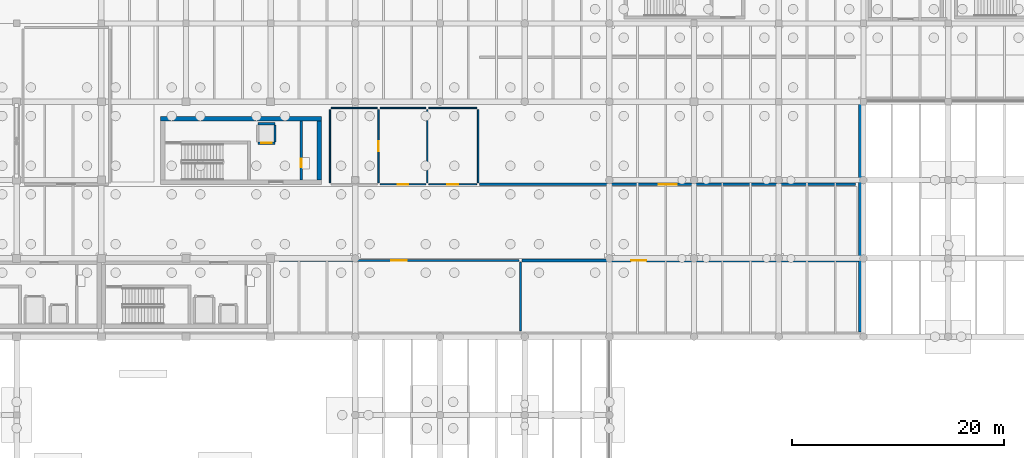
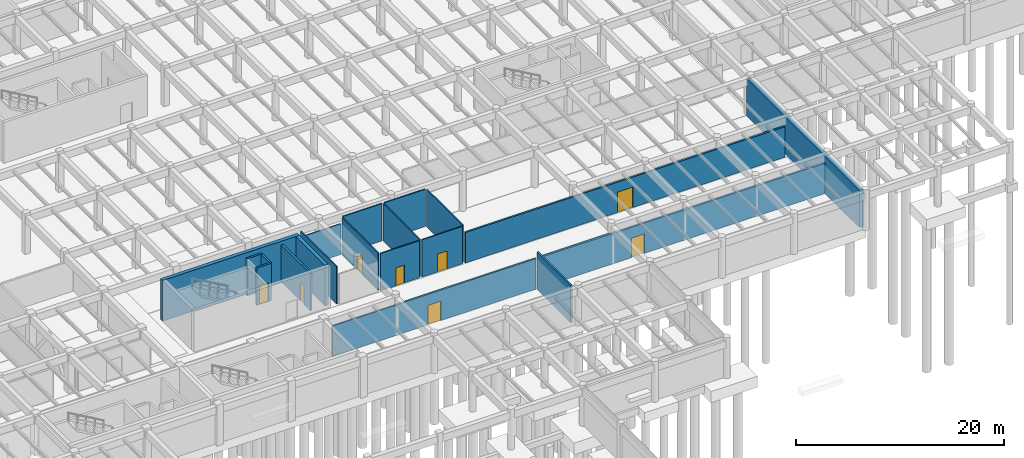
# One storey, part 21 of 40: 20 walls, 8 doors, 8 openings.
"""IFC4 building model written with IfcOpenShell, lengths in metres."""

from ifc_helpers import new_model, si_unit, direction, frame, frame_2d, origin, place, context, subcontext, project, spatial, rectangle, extrude, material, layer, layer_set, type_object, element, fill, save


model = new_model("IFC4")

# Units and contexts
model_context = context("Model", 3, precision=1e-05, world=origin(), true_north=direction((0.0, 1.0)))
body_context = subcontext(model_context, "Body", "Model", "MODEL_VIEW")
ifc_project = project(units=[si_unit("LENGTHUNIT", "METRE"), si_unit("AREAUNIT", "SQUARE_METRE"), si_unit("VOLUMEUNIT", "CUBIC_METRE"), si_unit("PLANEANGLEUNIT", "RADIAN"), si_unit("MASSUNIT", "GRAM", prefix="KILO")], contexts=[model_context])

# Site, building, storey
site_placement = place(None, origin())
site = spatial("IfcSite", under=ifc_project, at=site_placement, CompositionType="ELEMENT")
building_placement = place(site_placement, origin())
building = spatial("IfcBuilding", under=site, at=building_placement, Name="Valkorina Park Police Headquarters", CompositionType="ELEMENT")
storey_placement = place(building_placement, frame((0.0, 0.0, -4.800048828125)))
storey = spatial("IfcBuildingStorey", under=building, at=storey_placement, Name="B01", CompositionType="ELEMENT", Elevation=-4.800048828125)

# Wall, opening, door
ifc_material_1 = material(Name="Autoclaved aerated concrete masonry", Category="masonry")
ifc_layer_1 = layer(ifc_material_1, 0.219970703125)
ifc_layer_set_1 = layer_set([ifc_layer_1], Name="Autoclaved aerated concrete masonry")
wall_type_1 = type_object("IfcWallType", Name="WL-CHASE-220-EI60", PredefinedType="PLUMBINGWALL", material=ifc_layer_set_1)
wall_1_placement = place(storey_placement, frame((47.590087890625, 55.2900390625, 0.0), z_axis=(0.0, 0.0, 1.0), x_axis=(1.0, 0.0, 0.0)))
wall_1 = element("IfcWall", 1, at=wall_1_placement, inside=storey, type_object=wall_type_1, Name="Lift LF-05 B01 Shaft Front Wall", PredefinedType="PLUMBINGWALL", context=body_context, shape_type="SweptSolid", body=[
    extrude(rectangle(XDim=1.619873046875, YDim=0.219970703125, at=frame_2d((0.81005859375, 0.0))), origin(), (0.0, 0.0, 1.0), 4.380126953125),
])
opening_1_placement = place(wall_1_placement, frame((0.31005859375, 0.0, 0.0)))
opening_1 = element("IfcOpeningElement", 2, at=opening_1_placement, cuts=wall_1, Name="Opening LD-02", PredefinedType="OPENING", context=body_context, shape_type="SweptSolid", body=[
    extrude(rectangle(XDim=1.0, YDim=2.199951171875, at=frame_2d((0.5, 1.10009765625))), frame((0.0, 0.1201171875, 0.0), z_axis=(0.0, -1.0, 0.0), x_axis=(1.0, 0.0, 0.0)), (0.0, 0.0, 1.0), 0.239990234375),
])
ifc_material_2 = material(Name="Stainless steel EN 1.4404", Category="steel")
ifc_layer_2 = layer(ifc_material_2, 0.050048828125)
ifc_layer_set_2 = layer_set([ifc_layer_2], Name="Stainless steel EN 1.4404")
door_type_1 = type_object("IfcDoorType", Name="DR-LIFT-PAX-1000x2200", OperationType="NOTDEFINED", PredefinedType="DOOR", material=ifc_layer_set_2)
door_1_placement = place(opening_1_placement, origin())
door_1 = element("IfcDoor", 3, at=door_1_placement, inside=storey, type_object=door_type_1, Name="Lift Landing Door LF-05-B01", OperationType="DOUBLE_DOOR_SLIDING", OverallHeight=2.199951171875, OverallWidth=1.0, PredefinedType="DOOR", context=body_context, shape_type="SweptSolid", body=[
    extrude(rectangle(XDim=1.0, YDim=2.199951171875, at=frame_2d((0.5, 1.10009765625))), frame((0.0, 0.02490234375, 0.0), z_axis=(0.0, -1.0, 0.0), x_axis=(1.0, 0.0, 0.0)), (0.0, 0.0, 1.0), 0.050048828125),
])
fill(opening_1, door_1)

# Walls
wall_2_placement = place(storey_placement, frame((47.590087890625, 57.110107421875, 0.0), z_axis=(0.0, 0.0, 1.0), x_axis=(1.0, 0.0, 0.0)))
element("IfcWall", 4, at=wall_2_placement, inside=storey, type_object=wall_type_1, Name="Lift LF-05 B01 Shaft Back Wall", PredefinedType="PLUMBINGWALL", context=body_context, shape_type="SweptSolid", body=[
    extrude(rectangle(XDim=1.619873046875, YDim=0.219970703125, at=frame_2d((0.81005859375, 0.0))), origin(), (0.0, 0.0, 1.0), 4.380126953125),
])
wall_3_placement = place(storey_placement, frame((49.2099609375, 55.39990234375, 0.0), z_axis=(0.0, 0.0, 1.0), x_axis=(0.0, 1.0, 0.0)))
element("IfcWall", 5, at=wall_3_placement, inside=storey, type_object=wall_type_1, Name="Lift LF-05 B01 Shaft Side Wall E", PredefinedType="PLUMBINGWALL", context=body_context, shape_type="SweptSolid", body=[
    extrude(rectangle(XDim=1.60009765625, YDim=0.219970703125, at=frame_2d((0.800048828125, 0.0))), origin(), (0.0, 0.0, 1.0), 4.380126953125),
])

# Wall, opening, door
wall_4_placement = place(storey_placement, frame((51.68994140625, 51.800048828125, 0.0), z_axis=(0.0, 0.0, 1.0), x_axis=(0.0, 1.0, 0.0)))
wall_4 = element("IfcWall", 6, at=wall_4_placement, inside=storey, type_object=wall_type_1, Name="Core C3 B01 Riser Shaft West Wall", PredefinedType="PLUMBINGWALL", context=body_context, shape_type="SweptSolid", body=[
    extrude(rectangle(XDim=5.599853515625, YDim=0.219970703125, at=frame_2d((2.7998046875, 0.0))), origin(), (0.0, 0.0, 1.0), 4.380126953125),
])
opening_2_placement = place(wall_4_placement, frame((1.199951171875, 0.0, 0.0)))
opening_2 = element("IfcOpeningElement", 7, at=opening_2_placement, cuts=wall_4, Name="Opening ID-01", PredefinedType="OPENING", context=body_context, shape_type="SweptSolid", body=[
    extrude(rectangle(XDim=0.800048828125, YDim=2.10009765625, at=frame_2d((0.39990234375, 1.050048828125))), frame((0.0, 0.1201171875, 0.0), z_axis=(0.0, -1.0, 0.0), x_axis=(1.0, 0.0, 0.0)), (0.0, 0.0, 1.0), 0.239990234375),
])
ifc_material_3 = material(Name="Galvanized steel door leaf", Category="steel")
ifc_layer_3 = layer(ifc_material_3, 0.050048828125)
ifc_layer_set_3 = layer_set([ifc_layer_3], Name="Galvanized steel door leaf")
door_type_2 = type_object("IfcDoorType", Name="DR-INT-RISER-800x2100", OperationType="NOTDEFINED", PredefinedType="DOOR", material=ifc_layer_set_3)
door_2_placement = place(opening_2_placement, origin())
door_2 = element("IfcDoor", 8, at=door_2_placement, inside=storey, type_object=door_type_2, Name="Riser Shaft Access Door C3-B01", OperationType="SINGLE_SWING_RIGHT", OverallHeight=2.10009765625, OverallWidth=0.800048828125, PredefinedType="DOOR", context=body_context, shape_type="SweptSolid", body=[
    extrude(rectangle(XDim=0.800048828125, YDim=2.10009765625, at=frame_2d((0.39990234375, 1.050048828125))), frame((0.0, 0.02490234375, 0.0), z_axis=(0.0, -1.0, 0.0), x_axis=(1.0, 0.0, 0.0)), (0.0, 0.0, 1.0), 0.050048828125),
])
fill(opening_2, door_2)

# Walls
ifc_material_4 = material(Name="Concrete C40/50", Category="concrete")
ifc_layer_4 = layer(ifc_material_4, 0.39990234375)
ifc_layer_set_4 = layer_set([ifc_layer_4], Name="Concrete C40/50")
wall_type_2 = type_object("IfcWallType", Name="WL-CORE-400-REI180", PredefinedType="SHEAR", material=ifc_layer_set_4)
wall_5_placement = place(storey_placement, frame((38.39990234375, 57.60009765625, 0.0), z_axis=(0.0, 0.0, 1.0), x_axis=(1.0, 0.0, 0.0)))
element("IfcWall", 9, at=wall_5_placement, inside=storey, type_object=wall_type_2, Name="Core C3 B01 Shear Wall N", PredefinedType="SHEAR", context=body_context, shape_type="SweptSolid", body=[
    extrude(rectangle(XDim=15.2001953125, YDim=0.39990234375, at=frame_2d((7.60009765625, 0.0))), origin(), (0.0, 0.0, 1.0), 4.795166015625),
])
wall_6_placement = place(storey_placement, frame((53.39990234375, 51.800048828125, 0.0), z_axis=(0.0, 0.0, 1.0), x_axis=(0.0, 1.0, 0.0)))
element("IfcWall", 10, at=wall_6_placement, inside=storey, type_object=wall_type_2, Name="Core C3 B01 Shear Wall E", PredefinedType="SHEAR", context=body_context, shape_type="SweptSolid", body=[
    extrude(rectangle(XDim=5.599853515625, YDim=0.39990234375, at=frame_2d((2.7998046875, 0.0))), origin(), (0.0, 0.0, 1.0), 4.795166015625),
])

# Wall, opening, door
ifc_layer_5 = layer(ifc_material_1, 0.199951171875)
ifc_layer_set_5 = layer_set([ifc_layer_5], Name="Autoclaved aerated concrete masonry")
wall_type_3 = type_object("IfcWallType", Name="WL-CORR-200-EI60", PredefinedType="STANDARD", material=ifc_layer_set_5)
wall_7_placement = place(storey_placement, frame((49.590087890625, 44.199951171875, 0.0), z_axis=(0.0, 0.0, 1.0), x_axis=(1.0, 0.0, 0.0)))
wall_7 = element("IfcWall", 11, at=wall_7_placement, inside=storey, type_object=wall_type_3, Name="B01 Interior Partition 0019 (B01-STR-01)", PredefinedType="STANDARD", context=body_context, shape_type="SweptSolid", body=[
    extrude(rectangle(XDim=22.669921875, YDim=0.199951171875, at=frame_2d((11.3349609375, 0.0))), origin(), (0.0, 0.0, 1.0), 3.580078125),
])
opening_3_placement = place(wall_7_placement, frame((10.610107421875, 0.0, 0.0)))
opening_3 = element("IfcOpeningElement", 12, at=opening_3_placement, cuts=wall_7, Name="Opening FD-07", PredefinedType="OPENING", context=body_context, shape_type="SweptSolid", body=[
    extrude(rectangle(XDim=1.449951171875, YDim=2.300048828125, at=frame_2d((0.72509765625, 1.14990234375))), frame((0.0, 0.10986328125, 0.0), z_axis=(0.0, -1.0, 0.0), x_axis=(1.0, 0.0, 0.0)), (0.0, 0.0, 1.0), 0.219970703125),
])
ifc_layer_6 = layer(ifc_material_3, 0.050048828125)
ifc_layer_set_6 = layer_set([ifc_layer_6], Name="Galvanized steel door leaf")
door_type_3 = type_object("IfcDoorType", Name="DR-FIRE-VAULT-1450x2300", OperationType="NOTDEFINED", PredefinedType="DOOR", material=ifc_layer_set_6)
door_3_placement = place(opening_3_placement, origin())
door_3 = element("IfcDoor", 13, at=door_3_placement, inside=storey, type_object=door_type_3, Name="Door D-B01-I007 (B01-STR-01)", OperationType="SINGLE_SWING_RIGHT", OverallHeight=2.300048828125, OverallWidth=1.449951171875, PredefinedType="DOOR", context=body_context, shape_type="SweptSolid", body=[
    extrude(rectangle(XDim=1.449951171875, YDim=2.300048828125, at=frame_2d((0.72509765625, 1.14990234375))), frame((0.0, 0.02490234375, 0.0), z_axis=(0.0, -1.0, 0.0), x_axis=(1.0, 0.0, 0.0)), (0.0, 0.0, 1.0), 0.050048828125),
])
fill(opening_3, door_3)

# Wall
wall_8_placement = place(storey_placement, frame((72.39990234375, 37.5400390625, 0.0), z_axis=(0.0, 0.0, 1.0), x_axis=(0.0, 1.0, 0.0)))
element("IfcWall", 14, at=wall_8_placement, inside=storey, type_object=wall_type_3, Name="B01 Interior Partition 0020 (B01-STR-01)", PredefinedType="STANDARD", context=body_context, shape_type="SweptSolid", body=[
    extrude(rectangle(XDim=6.52001953125, YDim=0.199951171875, at=frame_2d((3.260009765625, 0.0))), origin(), (0.0, 0.0, 1.0), 4.380126953125),
])

# Wall, opening, door
wall_9_placement = place(storey_placement, frame((68.5400390625, 51.39990234375, 0.0), z_axis=(0.0, 0.0, 1.0), x_axis=(1.0, 0.0, 0.0)))
wall_9 = element("IfcWall", 15, at=wall_9_placement, inside=storey, type_object=wall_type_3, Name="B01 Interior Partition 0022 (B01-PLT-04)", PredefinedType="STANDARD", context=body_context, shape_type="SweptSolid", body=[
    extrude(rectangle(XDim=35.52001953125, YDim=0.199951171875, at=frame_2d((17.760009765625, 0.0))), origin(), (0.0, 0.0, 1.0), 3.580078125),
])
opening_4_placement = place(wall_9_placement, frame((16.909912109375, 0.0, 0.0)))
opening_4 = element("IfcOpeningElement", 16, at=opening_4_placement, cuts=wall_9, Name="Opening FD-08", PredefinedType="OPENING", context=body_context, shape_type="SweptSolid", body=[
    extrude(rectangle(XDim=1.699951171875, YDim=2.39990234375, at=frame_2d((0.85009765625, 1.199951171875))), frame((0.0, 0.10986328125, 0.0), z_axis=(0.0, -1.0, 0.0), x_axis=(1.0, 0.0, 0.0)), (0.0, 0.0, 1.0), 0.219970703125),
])
ifc_layer_7 = layer(ifc_material_3, 0.050048828125)
ifc_layer_set_7 = layer_set([ifc_layer_7], Name="Galvanized steel door leaf")
door_type_4 = type_object("IfcDoorType", Name="DR-FIRE-PLANT-1700x2400", OperationType="NOTDEFINED", PredefinedType="DOOR", material=ifc_layer_set_7)
door_4_placement = place(opening_4_placement, origin())
door_4 = element("IfcDoor", 17, at=door_4_placement, inside=storey, type_object=door_type_4, Name="Door D-B01-I009 (B01-PLT-04)", OperationType="DOUBLE_DOOR_SINGLE_SWING", OverallHeight=2.39990234375, OverallWidth=1.699951171875, PredefinedType="DOOR", context=body_context, shape_type="SweptSolid", body=[
    extrude(rectangle(XDim=1.699951171875, YDim=2.39990234375, at=frame_2d((0.85009765625, 1.199951171875))), frame((0.0, 0.02490234375, 0.0), z_axis=(0.0, -1.0, 0.0), x_axis=(1.0, 0.0, 0.0)), (0.0, 0.0, 1.0), 0.050048828125),
])
fill(opening_4, door_4)

ifc_layer_8 = layer(ifc_material_4, 0.25)
ifc_layer_set_8 = layer_set([ifc_layer_8], Name="Concrete C40/50")
wall_type_4 = type_object("IfcWallType", Name="WL-CUST-250-REI120", PredefinedType="SOLIDWALL", material=ifc_layer_set_8)
wall_10_placement = place(storey_placement, frame((72.5400390625, 44.199951171875, 0.0), z_axis=(0.0, 0.0, 1.0), x_axis=(1.0, 0.0, 0.0)))
wall_10 = element("IfcWall", 18, at=wall_10_placement, inside=storey, type_object=wall_type_4, Name="B01 Interior Partition 0021 (B01-STR-02)", PredefinedType="SOLIDWALL", context=body_context, shape_type="SweptSolid", body=[
    extrude(rectangle(XDim=31.809814453125, YDim=0.25, at=frame_2d((15.90478515625, 0.0))), origin(), (0.0, 0.0, 1.0), 3.580078125),
])
opening_5_placement = place(wall_10_placement, frame((10.306884765625, 0.0, 0.0)))
opening_5 = element("IfcOpeningElement", 19, at=opening_5_placement, cuts=wall_10, Name="Opening FD-07", PredefinedType="OPENING", context=body_context, shape_type="SweptSolid", body=[
    extrude(rectangle(XDim=1.449951171875, YDim=2.300048828125, at=frame_2d((0.72509765625, 1.14990234375))), frame((0.0, 0.135009765625, 0.0), z_axis=(0.0, -1.0, 0.0), x_axis=(1.0, 0.0, 0.0)), (0.0, 0.0, 1.0), 0.27001953125),
])
door_5_placement = place(opening_5_placement, origin())
door_5 = element("IfcDoor", 20, at=door_5_placement, inside=storey, type_object=door_type_3, Name="Door D-B01-I008 (B01-STR-02)", OperationType="SINGLE_SWING_LEFT", OverallHeight=2.300048828125, OverallWidth=1.449951171875, PredefinedType="DOOR", context=body_context, shape_type="SweptSolid", body=[
    extrude(rectangle(XDim=1.449951171875, YDim=2.300048828125, at=frame_2d((0.72509765625, 1.14990234375))), frame((0.0, 0.02490234375, 0.0), z_axis=(0.0, -1.0, 0.0), x_axis=(1.0, 0.0, 0.0)), (0.0, 0.0, 1.0), 0.050048828125),
])
fill(opening_5, door_5)

# Walls
ifc_material_5 = material(Name="Gypsum plasterboard")
ifc_layer_9 = layer(ifc_material_5, 0.125)
ifc_layer_set_9 = layer_set([ifc_layer_9], Name="Gypsum plasterboard")
wall_type_5 = type_object("IfcWallType", Name="WL-PART-125-EI30", PredefinedType="PARTITIONING", material=ifc_layer_set_9)
wall_11_placement = place(storey_placement, frame((54.5400390625, 58.60009765625, 0.0), z_axis=(0.0, 0.0, 1.0), x_axis=(1.0, 0.0, 0.0)))
element("IfcWall", 21, at=wall_11_placement, inside=storey, type_object=wall_type_5, Name="B01 Interior Partition 0010 (B01-WC-M)", PredefinedType="PARTITIONING", context=body_context, shape_type="SweptSolid", body=[
    extrude(rectangle(XDim=4.320068359375, YDim=0.125, at=frame_2d((2.16015625, 0.0))), origin(), (0.0, 0.0, 1.0), 3.580078125),
])
wall_12_placement = place(storey_placement, frame((54.39990234375, 51.5400390625, 0.0), z_axis=(0.0, 0.0, 1.0), x_axis=(0.0, 1.0, 0.0)))
element("IfcWall", 22, at=wall_12_placement, inside=storey, type_object=wall_type_5, Name="B01 Interior Partition 0011 (B01-WC-M)", PredefinedType="PARTITIONING", context=body_context, shape_type="SweptSolid", body=[
    extrude(rectangle(XDim=6.919921875, YDim=0.125, at=frame_2d((3.4599609375, 0.0))), origin(), (0.0, 0.0, 1.0), 4.380126953125),
])

# Wall, opening, door
wall_13_placement = place(storey_placement, frame((59.0, 51.5400390625, 0.0), z_axis=(0.0, 0.0, 1.0), x_axis=(0.0, 1.0, 0.0)))
wall_13 = element("IfcWall", 23, at=wall_13_placement, inside=storey, type_object=wall_type_5, Name="B01 Interior Partition 0012 (B01-WC-M)", PredefinedType="PARTITIONING", context=body_context, shape_type="SweptSolid", body=[
    extrude(rectangle(XDim=6.919921875, YDim=0.125, at=frame_2d((3.4599609375, 0.0))), origin(), (0.0, 0.0, 1.0), 4.380126953125),
])
opening_6_placement = place(wall_13_placement, frame((2.985107421875, 0.0, 0.0)))
opening_6 = element("IfcOpeningElement", 24, at=opening_6_placement, cuts=wall_13, Name="Opening ID-02", PredefinedType="OPENING", context=body_context, shape_type="SweptSolid", body=[
    extrude(rectangle(XDim=0.949951171875, YDim=2.10009765625, at=frame_2d((0.47509765625, 1.050048828125))), frame((0.0, 0.072509765625, 0.0), z_axis=(0.0, -1.0, 0.0), x_axis=(1.0, 0.0, 0.0)), (0.0, 0.0, 1.0), 0.14501953125),
])
ifc_material_6 = material(Name="Thermally broken aluminium AW-6060", Category="aluminium")
ifc_layer_10 = layer(ifc_material_6, 0.050048828125)
ifc_layer_set_10 = layer_set([ifc_layer_10], Name="Thermally broken aluminium AW-6060")
door_type_5 = type_object("IfcDoorType", Name="DR-INT-WC-950x2100", OperationType="NOTDEFINED", PredefinedType="DOOR", material=ifc_layer_set_10)
door_6_placement = place(opening_6_placement, origin())
door_6 = element("IfcDoor", 25, at=door_6_placement, inside=storey, type_object=door_type_5, Name="Door D-B01-I004 (B01-WC-M)", OperationType="SINGLE_SWING_LEFT", OverallHeight=2.10009765625, OverallWidth=0.949951171875, PredefinedType="DOOR", context=body_context, shape_type="SweptSolid", body=[
    extrude(rectangle(XDim=0.949951171875, YDim=2.10009765625, at=frame_2d((0.47509765625, 1.050048828125))), frame((0.0, 0.02490234375, 0.0), z_axis=(0.0, -1.0, 0.0), x_axis=(1.0, 0.0, 0.0)), (0.0, 0.0, 1.0), 0.050048828125),
])
fill(opening_6, door_6)

wall_14_placement = place(storey_placement, frame((59.139892578125, 51.39990234375, 0.0), z_axis=(0.0, 0.0, 1.0), x_axis=(1.0, 0.0, 0.0)))
wall_14 = element("IfcWall", 26, at=wall_14_placement, inside=storey, type_object=wall_type_5, Name="B01 Interior Partition 0013 (B01-WC-F)", PredefinedType="PARTITIONING", context=body_context, shape_type="SweptSolid", body=[
    extrude(rectangle(XDim=4.320068359375, YDim=0.125, at=frame_2d((2.16015625, 0.0))), origin(), (0.0, 0.0, 1.0), 4.380126953125),
])
opening_7_placement = place(wall_14_placement, frame((1.68505859375, 0.0, 0.0)))
opening_7 = element("IfcOpeningElement", 27, at=opening_7_placement, cuts=wall_14, Name="Opening ID-02", PredefinedType="OPENING", context=body_context, shape_type="SweptSolid", body=[
    extrude(rectangle(XDim=0.949951171875, YDim=2.10009765625, at=frame_2d((0.47509765625, 1.050048828125))), frame((0.0, 0.072509765625, 0.0), z_axis=(0.0, -1.0, 0.0), x_axis=(1.0, 0.0, 0.0)), (0.0, 0.0, 1.0), 0.14501953125),
])
door_7_placement = place(opening_7_placement, origin())
door_7 = element("IfcDoor", 28, at=door_7_placement, inside=storey, type_object=door_type_5, Name="Door D-B01-I005 (B01-WC-F)", OperationType="SINGLE_SWING_RIGHT", OverallHeight=2.10009765625, OverallWidth=0.949951171875, PredefinedType="DOOR", context=body_context, shape_type="SweptSolid", body=[
    extrude(rectangle(XDim=0.949951171875, YDim=2.10009765625, at=frame_2d((0.47509765625, 1.050048828125))), frame((0.0, 0.02490234375, 0.0), z_axis=(0.0, -1.0, 0.0), x_axis=(1.0, 0.0, 0.0)), (0.0, 0.0, 1.0), 0.050048828125),
])
fill(opening_7, door_7)

# Walls
wall_15_placement = place(storey_placement, frame((59.139892578125, 58.60009765625, 0.0), z_axis=(0.0, 0.0, 1.0), x_axis=(1.0, 0.0, 0.0)))
element("IfcWall", 29, at=wall_15_placement, inside=storey, type_object=wall_type_5, Name="B01 Interior Partition 0014 (B01-WC-F)", PredefinedType="PARTITIONING", context=body_context, shape_type="SweptSolid", body=[
    extrude(rectangle(XDim=4.320068359375, YDim=0.125, at=frame_2d((2.16015625, 0.0))), origin(), (0.0, 0.0, 1.0), 4.380126953125),
])
wall_16_placement = place(storey_placement, frame((63.60009765625, 51.5400390625, 0.0), z_axis=(0.0, 0.0, 1.0), x_axis=(0.0, 1.0, 0.0)))
element("IfcWall", 30, at=wall_16_placement, inside=storey, type_object=wall_type_5, Name="B01 Interior Partition 0015 (B01-WC-F)", PredefinedType="PARTITIONING", context=body_context, shape_type="SweptSolid", body=[
    extrude(rectangle(XDim=6.919921875, YDim=0.125, at=frame_2d((3.4599609375, 0.0))), origin(), (0.0, 0.0, 1.0), 4.380126953125),
])

# Wall, opening, door
wall_17_placement = place(storey_placement, frame((63.739990234375, 51.39990234375, 0.0), z_axis=(0.0, 0.0, 1.0), x_axis=(1.0, 0.0, 0.0)))
wall_17 = element("IfcWall", 31, at=wall_17_placement, inside=storey, type_object=wall_type_5, Name="B01 Interior Partition 0016 (B01-WC-A)", PredefinedType="PARTITIONING", context=body_context, shape_type="SweptSolid", body=[
    extrude(rectangle(XDim=4.52001953125, YDim=0.125, at=frame_2d((2.260009765625, 0.0))), origin(), (0.0, 0.0, 1.0), 4.380126953125),
])
opening_8_placement = place(wall_17_placement, frame((1.735107421875, 0.0, 0.0)))
opening_8 = element("IfcOpeningElement", 32, at=opening_8_placement, cuts=wall_17, Name="Opening ID-03", PredefinedType="OPENING", context=body_context, shape_type="SweptSolid", body=[
    extrude(rectangle(XDim=1.050048828125, YDim=2.10009765625, at=frame_2d((0.52490234375, 1.050048828125))), frame((0.0, 0.072509765625, 0.0), z_axis=(0.0, -1.0, 0.0), x_axis=(1.0, 0.0, 0.0)), (0.0, 0.0, 1.0), 0.14501953125),
])
ifc_layer_11 = layer(ifc_material_6, 0.050048828125)
ifc_layer_set_11 = layer_set([ifc_layer_11], Name="Thermally broken aluminium AW-6060")
door_type_6 = type_object("IfcDoorType", Name="DR-INT-ACC-1050x2100", OperationType="NOTDEFINED", PredefinedType="DOOR", material=ifc_layer_set_11)
door_8_placement = place(opening_8_placement, origin())
door_8 = element("IfcDoor", 33, at=door_8_placement, inside=storey, type_object=door_type_6, Name="Door D-B01-I006 (B01-WC-A)", OperationType="SINGLE_SWING_LEFT", OverallHeight=2.10009765625, OverallWidth=1.050048828125, PredefinedType="DOOR", context=body_context, shape_type="SweptSolid", body=[
    extrude(rectangle(XDim=1.050048828125, YDim=2.10009765625, at=frame_2d((0.52490234375, 1.050048828125))), frame((0.0, 0.02490234375, 0.0), z_axis=(0.0, -1.0, 0.0), x_axis=(1.0, 0.0, 0.0)), (0.0, 0.0, 1.0), 0.050048828125),
])
fill(opening_8, door_8)

# Walls
wall_18_placement = place(storey_placement, frame((63.739990234375, 58.60009765625, 0.0), z_axis=(0.0, 0.0, 1.0), x_axis=(1.0, 0.0, 0.0)))
element("IfcWall", 34, at=wall_18_placement, inside=storey, type_object=wall_type_5, Name="B01 Interior Partition 0017 (B01-WC-A)", PredefinedType="PARTITIONING", context=body_context, shape_type="SweptSolid", body=[
    extrude(rectangle(XDim=4.52001953125, YDim=0.125, at=frame_2d((2.260009765625, 0.0))), origin(), (0.0, 0.0, 1.0), 4.380126953125),
])
wall_19_placement = place(storey_placement, frame((68.39990234375, 51.5400390625, 0.0), z_axis=(0.0, 0.0, 1.0), x_axis=(0.0, 1.0, 0.0)))
element("IfcWall", 35, at=wall_19_placement, inside=storey, type_object=wall_type_5, Name="B01 Interior Partition 0018 (B01-WC-A)", PredefinedType="PARTITIONING", context=body_context, shape_type="SweptSolid", body=[
    extrude(rectangle(XDim=6.919921875, YDim=0.125, at=frame_2d((3.4599609375, 0.0))), origin(), (0.0, 0.0, 1.0), 4.380126953125),
])
ifc_material_7 = material(Name="Concrete C35/45", Category="concrete")
ifc_layer_12 = layer(ifc_material_7, 0.449951171875)
ifc_layer_set_12 = layer_set([ifc_layer_12], Name="Concrete C35/45")
wall_type_6 = type_object("IfcWallType", Name="WL-RETAIN-450-REI120", PredefinedType="SOLIDWALL", material=ifc_layer_set_12)
wall_20_placement = place(storey_placement, frame((104.574951171875, 59.2080078125, 0.0), z_axis=(0.0, 0.0, 1.0), x_axis=(0.0, -1.0, 0.0)))
element("IfcWall", 36, at=wall_20_placement, inside=storey, type_object=wall_type_6, Name="B01 Basement Retaining Wall 08", PredefinedType="SOLIDWALL", context=body_context, shape_type="SweptSolid", body=[
    extrude(rectangle(XDim=21.758056640625, YDim=0.449951171875, at=frame_2d((10.87890625, 0.0))), origin(), (0.0, 0.0, 1.0), 4.380126953125),
])

save(model, "model.ifc")
